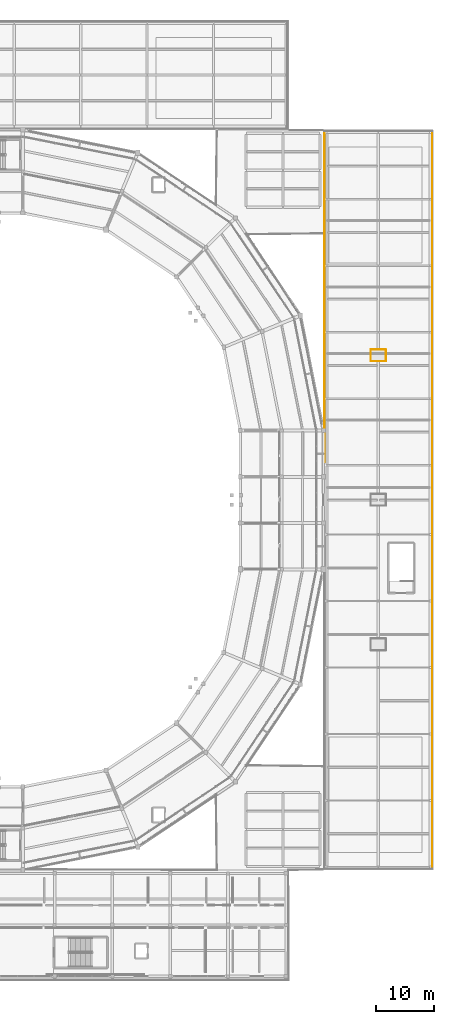
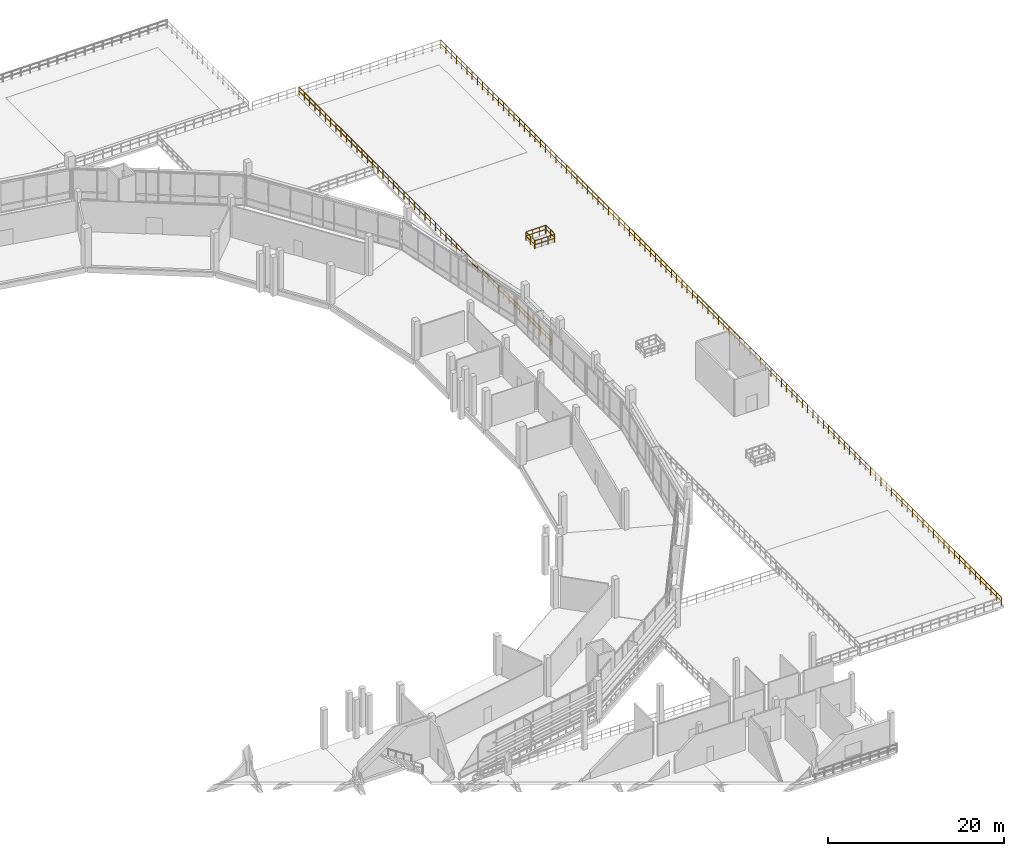
# One storey, part 103 of 111: 6 railings.
"""IFC4 building model written with IfcOpenShell, lengths in metres."""

from ifc_helpers import new_model, si_unit, direction, frame, origin, origin_2d, place, context, subcontext, project, spatial, circle, extrude, material, layer, layer_set, type_object, element, save


model = new_model("IFC4")

# Units and contexts
model_context = context("Model", 3, precision=1e-05, world=origin(), true_north=direction((0.0, 1.0)))
body_context = subcontext(model_context, "Body", "Model", "MODEL_VIEW")
ifc_project = project(units=[si_unit("LENGTHUNIT", "METRE"), si_unit("AREAUNIT", "SQUARE_METRE"), si_unit("VOLUMEUNIT", "CUBIC_METRE"), si_unit("PLANEANGLEUNIT", "RADIAN"), si_unit("MASSUNIT", "GRAM", prefix="KILO")], contexts=[model_context])

# Site, building, storey
site_placement = place(None, origin())
site = spatial("IfcSite", under=ifc_project, at=site_placement, CompositionType="ELEMENT")
building_placement = place(site_placement, origin())
building = spatial("IfcBuilding", under=site, at=building_placement, Name="Candeia Ridge Stadium", CompositionType="ELEMENT")
storey_placement = place(building_placement, frame((0.0, 0.0, 16.199951171875)))
storey = spatial("IfcBuildingStorey", under=building, at=storey_placement, Name="L03", CompositionType="ELEMENT", Elevation=16.199951171875)

# Railings
ifc_material = material(Name="Laminated Glass & Stainless Steel", Category="steel")
ifc_layer = layer(ifc_material, 0.080078125, Name="Laminated Glass & Stainless Steel", Category="steel")
ifc_layer_set = layer_set([ifc_layer], Name="Laminated Glass & Stainless Steel")
railing_type = type_object("IfcRailingType", Name="Planted Terrace Glass-Steel Guard 1150", PredefinedType="BALUSTRADE", material=ifc_layer_set)
railing_1_placement = place(storey_placement, frame((201.22998046875, 106.97998046875, 0.0)))
element("IfcRailing", 1, at=railing_1_placement, inside=storey, type_object=railing_type, Name="Skylight perimeter safety balustrade GR-SKY-03-1", PredefinedType="BALUSTRADE", context=body_context, shape_type="SweptSolid", body=[
    extrude(circle(Radius=0.02392578125, at=origin_2d()), frame((0.0, 0.0, 1.1259765625), z_axis=(1.0, 0.0, 0.0), x_axis=(0.0, 1.0, 0.0)), (0.0, 0.0, 1.0), 2.5400390625),
    extrude(circle(Radius=0.02392578125, at=origin_2d()), frame((0.0, 0.0, 0.574951171875), z_axis=(1.0, 0.0, 0.0), x_axis=(0.0, 1.0, 0.0)), (0.0, 0.0, 1.0), 2.5400390625),
    extrude(circle(Radius=0.02099609375, at=origin_2d()), origin(), (0.0, 0.0, 1.0), 1.101806640625),
    extrude(circle(Radius=0.02099609375, at=origin_2d()), frame((0.8466796875, 0.0, 0.0)), (0.0, 0.0, 1.0), 1.101806640625),
    extrude(circle(Radius=0.02099609375, at=origin_2d()), frame((1.693359375, 0.0, 0.0)), (0.0, 0.0, 1.0), 1.101806640625),
    extrude(circle(Radius=0.02099609375, at=origin_2d()), frame((2.5400390625, 0.0, 0.0)), (0.0, 0.0, 1.0), 1.101806640625),
])
railing_2_placement = place(storey_placement, frame((203.820068359375, 107.030029296875, 0.0)))
element("IfcRailing", 2, at=railing_2_placement, inside=storey, type_object=railing_type, Name="Skylight perimeter safety balustrade GR-SKY-03-2", PredefinedType="BALUSTRADE", context=body_context, shape_type="SweptSolid", body=[
    extrude(circle(Radius=0.02392578125, at=origin_2d()), frame((0.0, 0.0, 1.1259765625), z_axis=(0.0, 1.0, 0.0), x_axis=(-1.0, 0.0, 0.0)), (0.0, 0.0, 1.0), 1.93994140625),
    extrude(circle(Radius=0.02392578125, at=origin_2d()), frame((0.0, 0.0, 0.574951171875), z_axis=(0.0, 1.0, 0.0), x_axis=(-1.0, 0.0, 0.0)), (0.0, 0.0, 1.0), 1.93994140625),
    extrude(circle(Radius=0.02099609375, at=origin_2d()), origin(), (0.0, 0.0, 1.0), 1.101806640625),
    extrude(circle(Radius=0.02099609375, at=origin_2d()), frame((0.0, 0.969970703125, 0.0)), (0.0, 0.0, 1.0), 1.101806640625),
    extrude(circle(Radius=0.02099609375, at=origin_2d()), frame((0.0, 1.93994140625, 0.0)), (0.0, 0.0, 1.0), 1.101806640625),
])
railing_3_placement = place(storey_placement, frame((203.77001953125, 109.02001953125, 0.0)))
element("IfcRailing", 3, at=railing_3_placement, inside=storey, type_object=railing_type, Name="Skylight perimeter safety balustrade GR-SKY-03-3", PredefinedType="BALUSTRADE", context=body_context, shape_type="SweptSolid", body=[
    extrude(circle(Radius=0.02392578125, at=origin_2d()), frame((0.0, 0.0, 1.1259765625), z_axis=(-1.0, 0.0, 0.0), x_axis=(0.0, -1.0, 0.0)), (0.0, 0.0, 1.0), 2.5400390625),
    extrude(circle(Radius=0.02392578125, at=origin_2d()), frame((0.0, 0.0, 0.574951171875), z_axis=(-1.0, 0.0, 0.0), x_axis=(0.0, -1.0, 0.0)), (0.0, 0.0, 1.0), 2.5400390625),
    extrude(circle(Radius=0.02099609375, at=origin_2d()), origin(), (0.0, 0.0, 1.0), 1.101806640625),
    extrude(circle(Radius=0.02099609375, at=origin_2d()), frame((-0.8466796875, 0.0, 0.0)), (0.0, 0.0, 1.0), 1.101806640625),
    extrude(circle(Radius=0.02099609375, at=origin_2d()), frame((-1.693359375, 0.0, 0.0)), (0.0, 0.0, 1.0), 1.101806640625),
    extrude(circle(Radius=0.02099609375, at=origin_2d()), frame((-2.5400390625, 0.0, 0.0)), (0.0, 0.0, 1.0), 1.101806640625),
])
railing_4_placement = place(storey_placement, frame((201.179931640625, 108.969970703125, 0.0)))
element("IfcRailing", 4, at=railing_4_placement, inside=storey, type_object=railing_type, Name="Skylight perimeter safety balustrade GR-SKY-03-4", PredefinedType="BALUSTRADE", context=body_context, shape_type="SweptSolid", body=[
    extrude(circle(Radius=0.02392578125, at=origin_2d()), frame((0.0, 0.0, 1.1259765625), z_axis=(0.0, -1.0, 0.0), x_axis=(1.0, 0.0, 0.0)), (0.0, 0.0, 1.0), 1.93994140625),
    extrude(circle(Radius=0.02392578125, at=origin_2d()), frame((0.0, 0.0, 0.574951171875), z_axis=(0.0, -1.0, 0.0), x_axis=(1.0, 0.0, 0.0)), (0.0, 0.0, 1.0), 1.93994140625),
    extrude(circle(Radius=0.02099609375, at=origin_2d()), origin(), (0.0, 0.0, 1.0), 1.101806640625),
    extrude(circle(Radius=0.02099609375, at=origin_2d()), frame((0.0, -0.969970703125, 0.0)), (0.0, 0.0, 1.0), 1.101806640625),
    extrude(circle(Radius=0.02099609375, at=origin_2d()), frame((0.0, -1.93994140625, 0.0)), (0.0, 0.0, 1.0), 1.101806640625),
])
railing_5_placement = place(storey_placement, frame((211.800048828125, 19.199951171875, 0.0)))
element("IfcRailing", 5, at=railing_5_placement, inside=storey, type_object=railing_type, Name="Terrace perimeter balustrade GR-TER-182", PredefinedType="BALUSTRADE", context=body_context, shape_type="SweptSolid", body=[
    extrude(circle(Radius=0.02392578125, at=origin_2d()), frame((0.0, 0.0, 1.1259765625), z_axis=(0.0, 1.0, 0.0), x_axis=(-1.0, 0.0, 0.0)), (0.0, 0.0, 1.0), 127.60009765625),
    extrude(circle(Radius=0.02392578125, at=origin_2d()), frame((0.0, 0.0, 0.574951171875), z_axis=(0.0, 1.0, 0.0), x_axis=(-1.0, 0.0, 0.0)), (0.0, 0.0, 1.0), 127.60009765625),
    extrude(circle(Radius=0.02099609375, at=origin_2d()), origin(), (0.0, 0.0, 1.0), 1.101806640625),
    extrude(circle(Radius=0.02099609375, at=origin_2d()), frame((0.0, 1.192626953125, 0.0)), (0.0, 0.0, 1.0), 1.101806640625),
    extrude(circle(Radius=0.02099609375, at=origin_2d()), frame((0.0, 2.385009765625, 0.0)), (0.0, 0.0, 1.0), 1.101806640625),
    extrude(circle(Radius=0.02099609375, at=origin_2d()), frame((0.0, 3.57763671875, 0.0)), (0.0, 0.0, 1.0), 1.101806640625),
    extrude(circle(Radius=0.02099609375, at=origin_2d()), frame((0.0, 4.77001953125, 0.0)), (0.0, 0.0, 1.0), 1.101806640625),
    extrude(circle(Radius=0.02099609375, at=origin_2d()), frame((0.0, 5.962646484375, 0.0)), (0.0, 0.0, 1.0), 1.101806640625),
    extrude(circle(Radius=0.02099609375, at=origin_2d()), frame((0.0, 7.155029296875, 0.0)), (0.0, 0.0, 1.0), 1.101806640625),
    extrude(circle(Radius=0.02099609375, at=origin_2d()), frame((0.0, 8.34765625, 0.0)), (0.0, 0.0, 1.0), 1.101806640625),
    extrude(circle(Radius=0.02099609375, at=origin_2d()), frame((0.0, 9.540283203125, 0.0)), (0.0, 0.0, 1.0), 1.101806640625),
    extrude(circle(Radius=0.02099609375, at=origin_2d()), frame((0.0, 10.732666015625, 0.0)), (0.0, 0.0, 1.0), 1.101806640625),
    extrude(circle(Radius=0.02099609375, at=origin_2d()), frame((0.0, 11.92529296875, 0.0)), (0.0, 0.0, 1.0), 1.101806640625),
    extrude(circle(Radius=0.02099609375, at=origin_2d()), frame((0.0, 13.11767578125, 0.0)), (0.0, 0.0, 1.0), 1.101806640625),
    extrude(circle(Radius=0.02099609375, at=origin_2d()), frame((0.0, 14.310302734375, 0.0)), (0.0, 0.0, 1.0), 1.101806640625),
    extrude(circle(Radius=0.02099609375, at=origin_2d()), frame((0.0, 15.5029296875, 0.0)), (0.0, 0.0, 1.0), 1.101806640625),
    extrude(circle(Radius=0.02099609375, at=origin_2d()), frame((0.0, 16.6953125, 0.0)), (0.0, 0.0, 1.0), 1.101806640625),
    extrude(circle(Radius=0.02099609375, at=origin_2d()), frame((0.0, 17.887939453125, 0.0)), (0.0, 0.0, 1.0), 1.101806640625),
    extrude(circle(Radius=0.02099609375, at=origin_2d()), frame((0.0, 19.080322265625, 0.0)), (0.0, 0.0, 1.0), 1.101806640625),
    extrude(circle(Radius=0.02099609375, at=origin_2d()), frame((0.0, 20.27294921875, 0.0)), (0.0, 0.0, 1.0), 1.101806640625),
    extrude(circle(Radius=0.02099609375, at=origin_2d()), frame((0.0, 21.46533203125, 0.0)), (0.0, 0.0, 1.0), 1.101806640625),
    extrude(circle(Radius=0.02099609375, at=origin_2d()), frame((0.0, 22.657958984375, 0.0)), (0.0, 0.0, 1.0), 1.101806640625),
    extrude(circle(Radius=0.02099609375, at=origin_2d()), frame((0.0, 23.8505859375, 0.0)), (0.0, 0.0, 1.0), 1.101806640625),
    extrude(circle(Radius=0.02099609375, at=origin_2d()), frame((0.0, 25.04296875, 0.0)), (0.0, 0.0, 1.0), 1.101806640625),
    extrude(circle(Radius=0.02099609375, at=origin_2d()), frame((0.0, 26.235595703125, 0.0)), (0.0, 0.0, 1.0), 1.101806640625),
    extrude(circle(Radius=0.02099609375, at=origin_2d()), frame((0.0, 27.427978515625, 0.0)), (0.0, 0.0, 1.0), 1.101806640625),
    extrude(circle(Radius=0.02099609375, at=origin_2d()), frame((0.0, 28.62060546875, 0.0)), (0.0, 0.0, 1.0), 1.101806640625),
    extrude(circle(Radius=0.02099609375, at=origin_2d()), frame((0.0, 29.81298828125, 0.0)), (0.0, 0.0, 1.0), 1.101806640625),
    extrude(circle(Radius=0.02099609375, at=origin_2d()), frame((0.0, 31.005615234375, 0.0)), (0.0, 0.0, 1.0), 1.101806640625),
    extrude(circle(Radius=0.02099609375, at=origin_2d()), frame((0.0, 32.1982421875, 0.0)), (0.0, 0.0, 1.0), 1.101806640625),
    extrude(circle(Radius=0.02099609375, at=origin_2d()), frame((0.0, 33.390625, 0.0)), (0.0, 0.0, 1.0), 1.101806640625),
    extrude(circle(Radius=0.02099609375, at=origin_2d()), frame((0.0, 34.583251953125, 0.0)), (0.0, 0.0, 1.0), 1.101806640625),
    extrude(circle(Radius=0.02099609375, at=origin_2d()), frame((0.0, 35.775634765625, 0.0)), (0.0, 0.0, 1.0), 1.101806640625),
    extrude(circle(Radius=0.02099609375, at=origin_2d()), frame((0.0, 36.96826171875, 0.0)), (0.0, 0.0, 1.0), 1.101806640625),
    extrude(circle(Radius=0.02099609375, at=origin_2d()), frame((0.0, 38.160888671875, 0.0)), (0.0, 0.0, 1.0), 1.101806640625),
    extrude(circle(Radius=0.02099609375, at=origin_2d()), frame((0.0, 39.353271484375, 0.0)), (0.0, 0.0, 1.0), 1.101806640625),
    extrude(circle(Radius=0.02099609375, at=origin_2d()), frame((0.0, 40.5458984375, 0.0)), (0.0, 0.0, 1.0), 1.101806640625),
    extrude(circle(Radius=0.02099609375, at=origin_2d()), frame((0.0, 41.73828125, 0.0)), (0.0, 0.0, 1.0), 1.101806640625),
    extrude(circle(Radius=0.02099609375, at=origin_2d()), frame((0.0, 42.930908203125, 0.0)), (0.0, 0.0, 1.0), 1.101806640625),
    extrude(circle(Radius=0.02099609375, at=origin_2d()), frame((0.0, 44.123291015625, 0.0)), (0.0, 0.0, 1.0), 1.101806640625),
    extrude(circle(Radius=0.02099609375, at=origin_2d()), frame((0.0, 45.31591796875, 0.0)), (0.0, 0.0, 1.0), 1.101806640625),
    extrude(circle(Radius=0.02099609375, at=origin_2d()), frame((0.0, 46.508544921875, 0.0)), (0.0, 0.0, 1.0), 1.101806640625),
    extrude(circle(Radius=0.02099609375, at=origin_2d()), frame((0.0, 47.700927734375, 0.0)), (0.0, 0.0, 1.0), 1.101806640625),
    extrude(circle(Radius=0.02099609375, at=origin_2d()), frame((0.0, 48.8935546875, 0.0)), (0.0, 0.0, 1.0), 1.101806640625),
    extrude(circle(Radius=0.02099609375, at=origin_2d()), frame((0.0, 50.0859375, 0.0)), (0.0, 0.0, 1.0), 1.101806640625),
    extrude(circle(Radius=0.02099609375, at=origin_2d()), frame((0.0, 51.278564453125, 0.0)), (0.0, 0.0, 1.0), 1.101806640625),
    extrude(circle(Radius=0.02099609375, at=origin_2d()), frame((0.0, 52.470947265625, 0.0)), (0.0, 0.0, 1.0), 1.101806640625),
    extrude(circle(Radius=0.02099609375, at=origin_2d()), frame((0.0, 53.66357421875, 0.0)), (0.0, 0.0, 1.0), 1.101806640625),
    extrude(circle(Radius=0.02099609375, at=origin_2d()), frame((0.0, 54.856201171875, 0.0)), (0.0, 0.0, 1.0), 1.101806640625),
    extrude(circle(Radius=0.02099609375, at=origin_2d()), frame((0.0, 56.048583984375, 0.0)), (0.0, 0.0, 1.0), 1.101806640625),
    extrude(circle(Radius=0.02099609375, at=origin_2d()), frame((0.0, 57.2412109375, 0.0)), (0.0, 0.0, 1.0), 1.101806640625),
    extrude(circle(Radius=0.02099609375, at=origin_2d()), frame((0.0, 58.43359375, 0.0)), (0.0, 0.0, 1.0), 1.101806640625),
    extrude(circle(Radius=0.02099609375, at=origin_2d()), frame((0.0, 59.626220703125, 0.0)), (0.0, 0.0, 1.0), 1.101806640625),
    extrude(circle(Radius=0.02099609375, at=origin_2d()), frame((0.0, 60.81884765625, 0.0)), (0.0, 0.0, 1.0), 1.101806640625),
    extrude(circle(Radius=0.02099609375, at=origin_2d()), frame((0.0, 62.01123046875, 0.0)), (0.0, 0.0, 1.0), 1.101806640625),
    extrude(circle(Radius=0.02099609375, at=origin_2d()), frame((0.0, 63.203857421875, 0.0)), (0.0, 0.0, 1.0), 1.101806640625),
    extrude(circle(Radius=0.02099609375, at=origin_2d()), frame((0.0, 64.396240234375, 0.0)), (0.0, 0.0, 1.0), 1.101806640625),
    extrude(circle(Radius=0.02099609375, at=origin_2d()), frame((0.0, 65.5888671875, 0.0)), (0.0, 0.0, 1.0), 1.101806640625),
    extrude(circle(Radius=0.02099609375, at=origin_2d()), frame((0.0, 66.78125, 0.0)), (0.0, 0.0, 1.0), 1.101806640625),
    extrude(circle(Radius=0.02099609375, at=origin_2d()), frame((0.0, 67.973876953125, 0.0)), (0.0, 0.0, 1.0), 1.101806640625),
    extrude(circle(Radius=0.02099609375, at=origin_2d()), frame((0.0, 69.16650390625, 0.0)), (0.0, 0.0, 1.0), 1.101806640625),
    extrude(circle(Radius=0.02099609375, at=origin_2d()), frame((0.0, 70.35888671875, 0.0)), (0.0, 0.0, 1.0), 1.101806640625),
    extrude(circle(Radius=0.02099609375, at=origin_2d()), frame((0.0, 71.551513671875, 0.0)), (0.0, 0.0, 1.0), 1.101806640625),
    extrude(circle(Radius=0.02099609375, at=origin_2d()), frame((0.0, 72.743896484375, 0.0)), (0.0, 0.0, 1.0), 1.101806640625),
    extrude(circle(Radius=0.02099609375, at=origin_2d()), frame((0.0, 73.9365234375, 0.0)), (0.0, 0.0, 1.0), 1.101806640625),
    extrude(circle(Radius=0.02099609375, at=origin_2d()), frame((0.0, 75.129150390625, 0.0)), (0.0, 0.0, 1.0), 1.101806640625),
    extrude(circle(Radius=0.02099609375, at=origin_2d()), frame((0.0, 76.321533203125, 0.0)), (0.0, 0.0, 1.0), 1.101806640625),
    extrude(circle(Radius=0.02099609375, at=origin_2d()), frame((0.0, 77.51416015625, 0.0)), (0.0, 0.0, 1.0), 1.101806640625),
    extrude(circle(Radius=0.02099609375, at=origin_2d()), frame((0.0, 78.70654296875, 0.0)), (0.0, 0.0, 1.0), 1.101806640625),
    extrude(circle(Radius=0.02099609375, at=origin_2d()), frame((0.0, 79.899169921875, 0.0)), (0.0, 0.0, 1.0), 1.101806640625),
    extrude(circle(Radius=0.02099609375, at=origin_2d()), frame((0.0, 81.091552734375, 0.0)), (0.0, 0.0, 1.0), 1.101806640625),
    extrude(circle(Radius=0.02099609375, at=origin_2d()), frame((0.0, 82.2841796875, 0.0)), (0.0, 0.0, 1.0), 1.101806640625),
    extrude(circle(Radius=0.02099609375, at=origin_2d()), frame((0.0, 83.476806640625, 0.0)), (0.0, 0.0, 1.0), 1.101806640625),
    extrude(circle(Radius=0.02099609375, at=origin_2d()), frame((0.0, 84.669189453125, 0.0)), (0.0, 0.0, 1.0), 1.101806640625),
    extrude(circle(Radius=0.02099609375, at=origin_2d()), frame((0.0, 85.86181640625, 0.0)), (0.0, 0.0, 1.0), 1.101806640625),
    extrude(circle(Radius=0.02099609375, at=origin_2d()), frame((0.0, 87.05419921875, 0.0)), (0.0, 0.0, 1.0), 1.101806640625),
    extrude(circle(Radius=0.02099609375, at=origin_2d()), frame((0.0, 88.246826171875, 0.0)), (0.0, 0.0, 1.0), 1.101806640625),
    extrude(circle(Radius=0.02099609375, at=origin_2d()), frame((0.0, 89.439208984375, 0.0)), (0.0, 0.0, 1.0), 1.101806640625),
    extrude(circle(Radius=0.02099609375, at=origin_2d()), frame((0.0, 90.6318359375, 0.0)), (0.0, 0.0, 1.0), 1.101806640625),
    extrude(circle(Radius=0.02099609375, at=origin_2d()), frame((0.0, 91.824462890625, 0.0)), (0.0, 0.0, 1.0), 1.101806640625),
    extrude(circle(Radius=0.02099609375, at=origin_2d()), frame((0.0, 93.016845703125, 0.0)), (0.0, 0.0, 1.0), 1.101806640625),
    extrude(circle(Radius=0.02099609375, at=origin_2d()), frame((0.0, 94.20947265625, 0.0)), (0.0, 0.0, 1.0), 1.101806640625),
    extrude(circle(Radius=0.02099609375, at=origin_2d()), frame((0.0, 95.40185546875, 0.0)), (0.0, 0.0, 1.0), 1.101806640625),
    extrude(circle(Radius=0.02099609375, at=origin_2d()), frame((0.0, 96.594482421875, 0.0)), (0.0, 0.0, 1.0), 1.101806640625),
    extrude(circle(Radius=0.02099609375, at=origin_2d()), frame((0.0, 97.787109375, 0.0)), (0.0, 0.0, 1.0), 1.101806640625),
    extrude(circle(Radius=0.02099609375, at=origin_2d()), frame((0.0, 98.9794921875, 0.0)), (0.0, 0.0, 1.0), 1.101806640625),
    extrude(circle(Radius=0.02099609375, at=origin_2d()), frame((0.0, 100.172119140625, 0.0)), (0.0, 0.0, 1.0), 1.101806640625),
    extrude(circle(Radius=0.02099609375, at=origin_2d()), frame((0.0, 101.364501953125, 0.0)), (0.0, 0.0, 1.0), 1.101806640625),
    extrude(circle(Radius=0.02099609375, at=origin_2d()), frame((0.0, 102.55712890625, 0.0)), (0.0, 0.0, 1.0), 1.101806640625),
    extrude(circle(Radius=0.02099609375, at=origin_2d()), frame((0.0, 103.74951171875, 0.0)), (0.0, 0.0, 1.0), 1.101806640625),
    extrude(circle(Radius=0.02099609375, at=origin_2d()), frame((0.0, 104.942138671875, 0.0)), (0.0, 0.0, 1.0), 1.101806640625),
    extrude(circle(Radius=0.02099609375, at=origin_2d()), frame((0.0, 106.134765625, 0.0)), (0.0, 0.0, 1.0), 1.101806640625),
    extrude(circle(Radius=0.02099609375, at=origin_2d()), frame((0.0, 107.3271484375, 0.0)), (0.0, 0.0, 1.0), 1.101806640625),
    extrude(circle(Radius=0.02099609375, at=origin_2d()), frame((0.0, 108.519775390625, 0.0)), (0.0, 0.0, 1.0), 1.101806640625),
    extrude(circle(Radius=0.02099609375, at=origin_2d()), frame((0.0, 109.712158203125, 0.0)), (0.0, 0.0, 1.0), 1.101806640625),
    extrude(circle(Radius=0.02099609375, at=origin_2d()), frame((0.0, 110.90478515625, 0.0)), (0.0, 0.0, 1.0), 1.101806640625),
    extrude(circle(Radius=0.02099609375, at=origin_2d()), frame((0.0, 112.09716796875, 0.0)), (0.0, 0.0, 1.0), 1.101806640625),
    extrude(circle(Radius=0.02099609375, at=origin_2d()), frame((0.0, 113.289794921875, 0.0)), (0.0, 0.0, 1.0), 1.101806640625),
    extrude(circle(Radius=0.02099609375, at=origin_2d()), frame((0.0, 114.482421875, 0.0)), (0.0, 0.0, 1.0), 1.101806640625),
    extrude(circle(Radius=0.02099609375, at=origin_2d()), frame((0.0, 115.6748046875, 0.0)), (0.0, 0.0, 1.0), 1.101806640625),
    extrude(circle(Radius=0.02099609375, at=origin_2d()), frame((0.0, 116.867431640625, 0.0)), (0.0, 0.0, 1.0), 1.101806640625),
    extrude(circle(Radius=0.02099609375, at=origin_2d()), frame((0.0, 118.059814453125, 0.0)), (0.0, 0.0, 1.0), 1.101806640625),
    extrude(circle(Radius=0.02099609375, at=origin_2d()), frame((0.0, 119.25244140625, 0.0)), (0.0, 0.0, 1.0), 1.101806640625),
    extrude(circle(Radius=0.02099609375, at=origin_2d()), frame((0.0, 120.445068359375, 0.0)), (0.0, 0.0, 1.0), 1.101806640625),
    extrude(circle(Radius=0.02099609375, at=origin_2d()), frame((0.0, 121.637451171875, 0.0)), (0.0, 0.0, 1.0), 1.101806640625),
    extrude(circle(Radius=0.02099609375, at=origin_2d()), frame((0.0, 122.830078125, 0.0)), (0.0, 0.0, 1.0), 1.101806640625),
    extrude(circle(Radius=0.02099609375, at=origin_2d()), frame((0.0, 124.0224609375, 0.0)), (0.0, 0.0, 1.0), 1.101806640625),
    extrude(circle(Radius=0.02099609375, at=origin_2d()), frame((0.0, 125.215087890625, 0.0)), (0.0, 0.0, 1.0), 1.101806640625),
    extrude(circle(Radius=0.02099609375, at=origin_2d()), frame((0.0, 126.407470703125, 0.0)), (0.0, 0.0, 1.0), 1.101806640625),
    extrude(circle(Radius=0.02099609375, at=origin_2d()), frame((0.0, 127.60009765625, 0.0)), (0.0, 0.0, 1.0), 1.101806640625),
])
railing_6_placement = place(storey_placement, frame((193.199951171875, 89.5, 0.0)))
element("IfcRailing", 6, at=railing_6_placement, inside=storey, type_object=railing_type, Name="Terrace perimeter balustrade GR-TER-185", PredefinedType="BALUSTRADE", context=body_context, shape_type="SweptSolid", body=[
    extrude(circle(Radius=0.02392578125, at=origin_2d()), frame((0.0, 0.0, 1.1259765625), z_axis=(0.0, 1.0, 0.0), x_axis=(-1.0, 0.0, 0.0)), (0.0, 0.0, 1.0), 57.300048828125),
    extrude(circle(Radius=0.02392578125, at=origin_2d()), frame((0.0, 0.0, 0.574951171875), z_axis=(0.0, 1.0, 0.0), x_axis=(-1.0, 0.0, 0.0)), (0.0, 0.0, 1.0), 57.300048828125),
    extrude(circle(Radius=0.02099609375, at=origin_2d()), origin(), (0.0, 0.0, 1.0), 1.101806640625),
    extrude(circle(Radius=0.02099609375, at=origin_2d()), frame((0.0, 1.19384765625, 0.0)), (0.0, 0.0, 1.0), 1.101806640625),
    extrude(circle(Radius=0.02099609375, at=origin_2d()), frame((0.0, 2.387451171875, 0.0)), (0.0, 0.0, 1.0), 1.101806640625),
    extrude(circle(Radius=0.02099609375, at=origin_2d()), frame((0.0, 3.581298828125, 0.0)), (0.0, 0.0, 1.0), 1.101806640625),
    extrude(circle(Radius=0.02099609375, at=origin_2d()), frame((0.0, 4.77490234375, 0.0)), (0.0, 0.0, 1.0), 1.101806640625),
    extrude(circle(Radius=0.02099609375, at=origin_2d()), frame((0.0, 5.96875, 0.0)), (0.0, 0.0, 1.0), 1.101806640625),
    extrude(circle(Radius=0.02099609375, at=origin_2d()), frame((0.0, 7.16259765625, 0.0)), (0.0, 0.0, 1.0), 1.101806640625),
    extrude(circle(Radius=0.02099609375, at=origin_2d()), frame((0.0, 8.356201171875, 0.0)), (0.0, 0.0, 1.0), 1.101806640625),
    extrude(circle(Radius=0.02099609375, at=origin_2d()), frame((0.0, 9.550048828125, 0.0)), (0.0, 0.0, 1.0), 1.101806640625),
    extrude(circle(Radius=0.02099609375, at=origin_2d()), frame((0.0, 10.74365234375, 0.0)), (0.0, 0.0, 1.0), 1.101806640625),
    extrude(circle(Radius=0.02099609375, at=origin_2d()), frame((0.0, 11.9375, 0.0)), (0.0, 0.0, 1.0), 1.101806640625),
    extrude(circle(Radius=0.02099609375, at=origin_2d()), frame((0.0, 13.13134765625, 0.0)), (0.0, 0.0, 1.0), 1.101806640625),
    extrude(circle(Radius=0.02099609375, at=origin_2d()), frame((0.0, 14.324951171875, 0.0)), (0.0, 0.0, 1.0), 1.101806640625),
    extrude(circle(Radius=0.02099609375, at=origin_2d()), frame((0.0, 15.518798828125, 0.0)), (0.0, 0.0, 1.0), 1.101806640625),
    extrude(circle(Radius=0.02099609375, at=origin_2d()), frame((0.0, 16.71240234375, 0.0)), (0.0, 0.0, 1.0), 1.101806640625),
    extrude(circle(Radius=0.02099609375, at=origin_2d()), frame((0.0, 17.90625, 0.0)), (0.0, 0.0, 1.0), 1.101806640625),
    extrude(circle(Radius=0.02099609375, at=origin_2d()), frame((0.0, 19.10009765625, 0.0)), (0.0, 0.0, 1.0), 1.101806640625),
    extrude(circle(Radius=0.02099609375, at=origin_2d()), frame((0.0, 20.293701171875, 0.0)), (0.0, 0.0, 1.0), 1.101806640625),
    extrude(circle(Radius=0.02099609375, at=origin_2d()), frame((0.0, 21.487548828125, 0.0)), (0.0, 0.0, 1.0), 1.101806640625),
    extrude(circle(Radius=0.02099609375, at=origin_2d()), frame((0.0, 22.68115234375, 0.0)), (0.0, 0.0, 1.0), 1.101806640625),
    extrude(circle(Radius=0.02099609375, at=origin_2d()), frame((0.0, 23.875, 0.0)), (0.0, 0.0, 1.0), 1.101806640625),
    extrude(circle(Radius=0.02099609375, at=origin_2d()), frame((0.0, 25.06884765625, 0.0)), (0.0, 0.0, 1.0), 1.101806640625),
    extrude(circle(Radius=0.02099609375, at=origin_2d()), frame((0.0, 26.262451171875, 0.0)), (0.0, 0.0, 1.0), 1.101806640625),
    extrude(circle(Radius=0.02099609375, at=origin_2d()), frame((0.0, 27.456298828125, 0.0)), (0.0, 0.0, 1.0), 1.101806640625),
    extrude(circle(Radius=0.02099609375, at=origin_2d()), frame((0.0, 28.64990234375, 0.0)), (0.0, 0.0, 1.0), 1.101806640625),
    extrude(circle(Radius=0.02099609375, at=origin_2d()), frame((0.0, 29.84375, 0.0)), (0.0, 0.0, 1.0), 1.101806640625),
    extrude(circle(Radius=0.02099609375, at=origin_2d()), frame((0.0, 31.03759765625, 0.0)), (0.0, 0.0, 1.0), 1.101806640625),
    extrude(circle(Radius=0.02099609375, at=origin_2d()), frame((0.0, 32.231201171875, 0.0)), (0.0, 0.0, 1.0), 1.101806640625),
    extrude(circle(Radius=0.02099609375, at=origin_2d()), frame((0.0, 33.425048828125, 0.0)), (0.0, 0.0, 1.0), 1.101806640625),
    extrude(circle(Radius=0.02099609375, at=origin_2d()), frame((0.0, 34.618896484375, 0.0)), (0.0, 0.0, 1.0), 1.101806640625),
    extrude(circle(Radius=0.02099609375, at=origin_2d()), frame((0.0, 35.8125, 0.0)), (0.0, 0.0, 1.0), 1.101806640625),
    extrude(circle(Radius=0.02099609375, at=origin_2d()), frame((0.0, 37.00634765625, 0.0)), (0.0, 0.0, 1.0), 1.101806640625),
    extrude(circle(Radius=0.02099609375, at=origin_2d()), frame((0.0, 38.199951171875, 0.0)), (0.0, 0.0, 1.0), 1.101806640625),
    extrude(circle(Radius=0.02099609375, at=origin_2d()), frame((0.0, 39.393798828125, 0.0)), (0.0, 0.0, 1.0), 1.101806640625),
    extrude(circle(Radius=0.02099609375, at=origin_2d()), frame((0.0, 40.587646484375, 0.0)), (0.0, 0.0, 1.0), 1.101806640625),
    extrude(circle(Radius=0.02099609375, at=origin_2d()), frame((0.0, 41.78125, 0.0)), (0.0, 0.0, 1.0), 1.101806640625),
    extrude(circle(Radius=0.02099609375, at=origin_2d()), frame((0.0, 42.97509765625, 0.0)), (0.0, 0.0, 1.0), 1.101806640625),
    extrude(circle(Radius=0.02099609375, at=origin_2d()), frame((0.0, 44.168701171875, 0.0)), (0.0, 0.0, 1.0), 1.101806640625),
    extrude(circle(Radius=0.02099609375, at=origin_2d()), frame((0.0, 45.362548828125, 0.0)), (0.0, 0.0, 1.0), 1.101806640625),
    extrude(circle(Radius=0.02099609375, at=origin_2d()), frame((0.0, 46.556396484375, 0.0)), (0.0, 0.0, 1.0), 1.101806640625),
    extrude(circle(Radius=0.02099609375, at=origin_2d()), frame((0.0, 47.75, 0.0)), (0.0, 0.0, 1.0), 1.101806640625),
    extrude(circle(Radius=0.02099609375, at=origin_2d()), frame((0.0, 48.94384765625, 0.0)), (0.0, 0.0, 1.0), 1.101806640625),
    extrude(circle(Radius=0.02099609375, at=origin_2d()), frame((0.0, 50.137451171875, 0.0)), (0.0, 0.0, 1.0), 1.101806640625),
    extrude(circle(Radius=0.02099609375, at=origin_2d()), frame((0.0, 51.331298828125, 0.0)), (0.0, 0.0, 1.0), 1.101806640625),
    extrude(circle(Radius=0.02099609375, at=origin_2d()), frame((0.0, 52.525146484375, 0.0)), (0.0, 0.0, 1.0), 1.101806640625),
    extrude(circle(Radius=0.02099609375, at=origin_2d()), frame((0.0, 53.71875, 0.0)), (0.0, 0.0, 1.0), 1.101806640625),
    extrude(circle(Radius=0.02099609375, at=origin_2d()), frame((0.0, 54.91259765625, 0.0)), (0.0, 0.0, 1.0), 1.101806640625),
    extrude(circle(Radius=0.02099609375, at=origin_2d()), frame((0.0, 56.106201171875, 0.0)), (0.0, 0.0, 1.0), 1.101806640625),
    extrude(circle(Radius=0.02099609375, at=origin_2d()), frame((0.0, 57.300048828125, 0.0)), (0.0, 0.0, 1.0), 1.101806640625),
])

save(model, "model.ifc")
